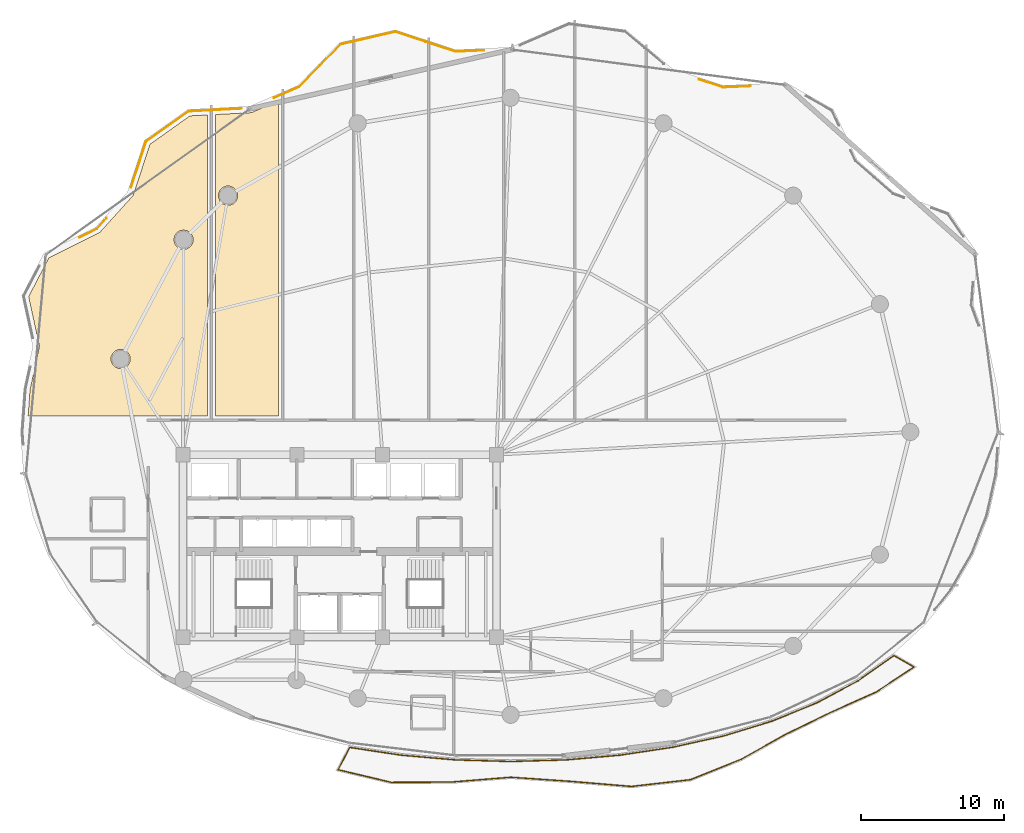
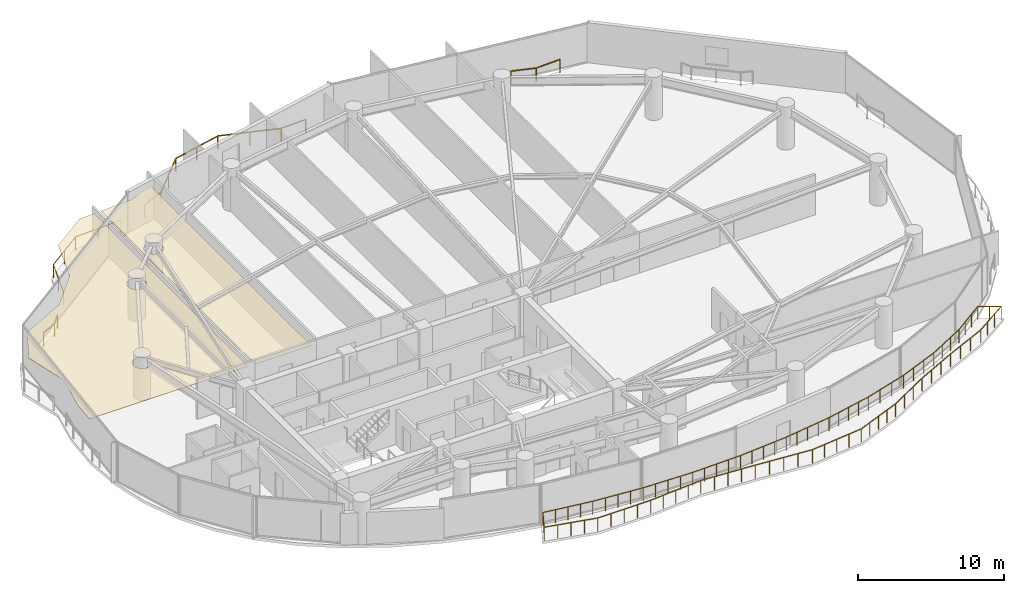
# One storey, part 32 of 33: 5 railings, 2 coverings.
"""IFC4 building model written with IfcOpenShell, lengths in metres."""

from ifc_helpers import new_model, si_unit, direction, frame, origin, origin_2d, place, context, subcontext, project, spatial, polyline, rectangle, outline, extrude, material, layer, layer_set, type_object, element, save


model = new_model("IFC4")

# Units and contexts
model_context = context("Model", 3, precision=1e-05, world=origin(), true_north=direction((0.0, 1.0)))
body_context = subcontext(model_context, "Body", "Model", "MODEL_VIEW")
ifc_project = project(units=[si_unit("LENGTHUNIT", "METRE"), si_unit("AREAUNIT", "SQUARE_METRE"), si_unit("VOLUMEUNIT", "CUBIC_METRE"), si_unit("PLANEANGLEUNIT", "RADIAN"), si_unit("MASSUNIT", "GRAM", prefix="KILO")], contexts=[model_context])

# Site, building, storey
site_placement = place(None, origin())
site = spatial("IfcSite", under=ifc_project, at=site_placement, CompositionType="ELEMENT")
building_placement = place(site_placement, origin())
building = spatial("IfcBuilding", under=site, at=building_placement, Name="Kazevale Care Tower and Concert Hall", CompositionType="ELEMENT")
storey_placement = place(building_placement, frame((0.0, 0.0, 149.39990234375)))
storey = spatial("IfcBuildingStorey", under=building, at=storey_placement, Name="L39", CompositionType="ELEMENT", Elevation=149.39990234375)

# Coverings
ifc_material_1 = material(Name="Acoustic Plaster and Hinoki Wood", Category="wood")
ifc_layer = layer(ifc_material_1, 0.0400390625)
ifc_layer_set = layer_set([ifc_layer], Name="Acoustic Plaster and Hinoki Wood")
covering_type = type_object("IfcCoveringType", Name="Acoustic Perforated Wood-Gypsum Ceiling", PredefinedType="CEILING", material=ifc_layer_set)
covering_1_placement = place(storey_placement, frame((0.0, 0.0, 2.710205078125)))
element("IfcCovering", 1, at=covering_1_placement, inside=storey, type_object=covering_type, Name="clg:L39:1", PredefinedType="CEILING", context=body_context, shape_type="SweptSolid", body=[
    extrude(outline(polyline([(11.93310546875, 44.008056640625), (11.175048828125, 47.4970703125), (12.589111328125, 50.216064453125), (16.156005859375, 51.991943359375), (18.511962890625, 54.597900390625), (19.68701171875, 58.18408203125), (22.493896484375, 60.181884765625), (23.719970703125, 60.24609375), (23.719970703125, 39.10498046875), (11.139892578125, 39.10498046875), (11.27294921875, 40.9580078125), (11.93310546875, 44.008056640625)]), holes=[polyline([(22.677978515625, 51.75), (22.531005859375, 51.970947265625), (22.31005859375, 52.117919921875), (22.050048828125, 52.169921875), (21.7900390625, 52.117919921875), (21.569091796875, 51.970947265625), (21.422119140625, 51.75), (21.3701171875, 51.489990234375), (21.422119140625, 51.22998046875), (21.569091796875, 51.009033203125), (21.7900390625, 50.862060546875), (22.050048828125, 50.81005859375), (22.31005859375, 50.862060546875), (22.531005859375, 51.009033203125), (22.677978515625, 51.22998046875), (22.72998046875, 51.489990234375), (22.677978515625, 51.75)]), polyline([(18.297119140625, 43.2529296875), (18.195068359375, 43.498046875), (18.008056640625, 43.68505859375), (17.762939453125, 43.787109375), (17.4970703125, 43.787109375), (17.251953125, 43.68505859375), (17.06494140625, 43.498046875), (16.962890625, 43.2529296875), (16.962890625, 42.987060546875), (17.06494140625, 42.741943359375), (17.251953125, 42.554931640625), (17.4970703125, 42.452880859375), (17.762939453125, 42.452880859375), (18.008056640625, 42.554931640625), (18.195068359375, 42.741943359375), (18.297119140625, 42.987060546875), (18.297119140625, 43.2529296875)])]), origin(), (0.0, 0.0, 1.0), 0.039794921875),
])
covering_2_placement = place(storey_placement, frame((0.0, 0.0, 2.710205078125)))
element("IfcCovering", 2, at=covering_2_placement, inside=storey, type_object=covering_type, Name="clg:L39:2", PredefinedType="CEILING", context=body_context, shape_type="SweptSolid", body=[
    extrude(outline(polyline([(28.719970703125, 39.10498046875), (24.280029296875, 39.10498046875), (24.280029296875, 60.27490234375), (26.804931640625, 60.406982421875), (28.719970703125, 61.237060546875), (28.719970703125, 39.10498046875)]), holes=[polyline([(25.8369140625, 54.712890625), (25.735107421875, 54.9580078125), (25.548095703125, 55.14501953125), (25.302978515625, 55.2470703125), (25.037109375, 55.2470703125), (24.7919921875, 55.14501953125), (24.60498046875, 54.9580078125), (24.5029296875, 54.712890625), (24.5029296875, 54.447021484375), (24.60498046875, 54.201904296875), (24.7919921875, 54.014892578125), (25.037109375, 53.9130859375), (25.302978515625, 53.9130859375), (25.548095703125, 54.014892578125), (25.735107421875, 54.201904296875), (25.8369140625, 54.447021484375), (25.8369140625, 54.712890625)])]), origin(), (0.0, 0.0, 1.0), 0.039794921875),
])

# Railings
ifc_material_2 = material(Name="Anodised Bronze Aluminium and Laminated Glass", Category="aluminium")
railing_type = type_object("IfcRailingType", Name="Balcony and Terrace Balustrade 1120", PredefinedType="BALUSTRADE", material=ifc_material_2)
railing_1_placement = place(storey_placement, frame((14.743896484375, 51.64599609375, 0.0)))
element("IfcRailing", 3, at=railing_1_placement, inside=storey, type_object=railing_type, Name="rail:L39:perim:3", PredefinedType="BALUSTRADE", context=body_context, shape_type="SweptSolid", body=[
    extrude(rectangle(XDim=0.048095703125, YDim=0.048095703125, at=origin_2d()), frame((0.0, 0.0, 1.09619140625), z_axis=(0.895181342234, 0.445702102885, 0.0), x_axis=(-0.445702102885, 0.895181342234, 0.0)), (0.0, 0.0, 1.0), 1.357421875),
    extrude(rectangle(XDim=0.048095703125, YDim=0.048095703125, at=origin_2d()), frame((1.215087890625, 0.60498046875, 1.09619140625), z_axis=(0.670216930837, 0.742165254926, 0.0), x_axis=(-0.742165254926, 0.670216930837, 0.0)), (0.0, 0.0, 1.0), 1.0009765625),
    extrude(rectangle(XDim=0.0419921875, YDim=0.0419921875, at=origin_2d()), origin(), (0.0, 0.0, 1.0), 1.072021484375),
    extrude(rectangle(XDim=0.0419921875, YDim=0.0419921875, at=origin_2d()), frame((1.215087890625, 0.60498046875, 0.0)), (0.0, 0.0, 1.0), 1.072021484375),
    extrude(rectangle(XDim=0.0419921875, YDim=0.0419921875, at=origin_2d()), frame((1.885986328125, 1.347900390625, 0.0)), (0.0, 0.0, 1.0), 1.072021484375),
])
railing_2_placement = place(storey_placement, frame((18.361083984375, 55.1640625, 0.0)))
element("IfcRailing", 4, at=railing_2_placement, inside=storey, type_object=railing_type, Name="rail:L39:perim:4", PredefinedType="BALUSTRADE", context=body_context, shape_type="SweptSolid", body=[
    extrude(rectangle(XDim=0.048095703125, YDim=0.048095703125, at=origin_2d()), frame((0.0, 0.0, 1.09619140625), z_axis=(0.31116334977, 0.95035644353, 0.0), x_axis=(-0.95035644353, 0.31116334977, 0.0)), (0.0, 0.0, 1.0), 3.38720703125),
    extrude(rectangle(XDim=0.048095703125, YDim=0.048095703125, at=origin_2d()), frame((1.053955078125, 3.218994140625, 1.09619140625), z_axis=(0.81472815081, 0.579843116953, 0.0), x_axis=(-0.579843116953, 0.81472815081, 0.0)), (0.0, 0.0, 1.0), 3.64404296875),
    extrude(rectangle(XDim=0.048095703125, YDim=0.048095703125, at=origin_2d()), frame((4.02294921875, 5.33203125, 1.09619140625), z_axis=(0.998638441981, 0.052165718614, 0.0), x_axis=(-0.052165718614, 0.998638441981, 0.0)), (0.0, 0.0, 1.0), 3.716064453125),
    extrude(rectangle(XDim=0.0419921875, YDim=0.0419921875, at=origin_2d()), origin(), (0.0, 0.0, 1.0), 1.072021484375),
    extrude(rectangle(XDim=0.0419921875, YDim=0.0419921875, at=origin_2d()), frame((0.52685546875, 1.609375, 0.0)), (0.0, 0.0, 1.0), 1.072021484375),
    extrude(rectangle(XDim=0.0419921875, YDim=0.0419921875, at=origin_2d()), frame((1.053955078125, 3.218994140625, 0.0)), (0.0, 0.0, 1.0), 1.072021484375),
    extrude(rectangle(XDim=0.0419921875, YDim=0.0419921875, at=origin_2d()), frame((2.53857421875, 4.275390625, 0.0)), (0.0, 0.0, 1.0), 1.072021484375),
    extrude(rectangle(XDim=0.0419921875, YDim=0.0419921875, at=origin_2d()), frame((4.02294921875, 5.33203125, 0.0)), (0.0, 0.0, 1.0), 1.072021484375),
    extrude(rectangle(XDim=0.0419921875, YDim=0.0419921875, at=origin_2d()), frame((5.87841796875, 5.428955078125, 0.0)), (0.0, 0.0, 1.0), 1.072021484375),
    extrude(rectangle(XDim=0.0419921875, YDim=0.0419921875, at=origin_2d()), frame((7.73388671875, 5.52587890625, 0.0)), (0.0, 0.0, 1.0), 1.072021484375),
])
railing_3_placement = place(storey_placement, frame((28.406982421875, 61.449951171875, 0.0)))
element("IfcRailing", 5, at=railing_3_placement, inside=storey, type_object=railing_type, Name="rail:L39:perim:5", PredefinedType="BALUSTRADE", context=body_context, shape_type="SweptSolid", body=[
    extrude(rectangle(XDim=0.048095703125, YDim=0.048095703125, at=origin_2d()), frame((0.0, 0.0, 1.09619140625), z_axis=(0.917259366497, 0.398290414866, 0.0), x_axis=(-0.398290414866, 0.917259366497, 0.0)), (0.0, 0.0, 1.0), 1.90576171875),
    extrude(rectangle(XDim=0.048095703125, YDim=0.048095703125, at=origin_2d()), frame((1.748046875, 0.759033203125, 1.09619140625), z_axis=(0.697682289334, 0.716407302551, 0.0), x_axis=(-0.716407302551, 0.697682289334, 0.0)), (0.0, 0.0, 1.0), 4.172119140625),
    extrude(rectangle(XDim=0.048095703125, YDim=0.048095703125, at=origin_2d()), frame((4.658935546875, 3.748046875, 1.09619140625), z_axis=(0.974660011093, 0.223691445471, 0.0), x_axis=(-0.223691445471, 0.974660011093, 0.0)), (0.0, 0.0, 1.0), 3.93896484375),
    extrude(rectangle(XDim=0.048095703125, YDim=0.048095703125, at=origin_2d()), frame((8.498046875, 4.629150390625, 1.09619140625), z_axis=(0.949878818656, -0.31261834538, 0.0), x_axis=(0.31261834538, 0.949878818656, 0.0)), (0.0, 0.0, 1.0), 4.44677734375),
    extrude(rectangle(XDim=0.048095703125, YDim=0.048095703125, at=origin_2d()), frame((12.721923828125, 3.239013671875, 1.09619140625), z_axis=(0.999018758403, 0.044289054622, 0.0), x_axis=(-0.044289054622, 0.999018758403, 0.0)), (0.0, 0.0, 1.0), 1.989990234375),
    extrude(rectangle(XDim=0.0419921875, YDim=0.0419921875, at=origin_2d()), origin(), (0.0, 0.0, 1.0), 1.072021484375),
    extrude(rectangle(XDim=0.0419921875, YDim=0.0419921875, at=origin_2d()), frame((1.748046875, 0.759033203125, 0.0)), (0.0, 0.0, 1.0), 1.072021484375),
    extrude(rectangle(XDim=0.0419921875, YDim=0.0419921875, at=origin_2d()), frame((3.20361328125, 2.25341796875, 0.0)), (0.0, 0.0, 1.0), 1.072021484375),
    extrude(rectangle(XDim=0.0419921875, YDim=0.0419921875, at=origin_2d()), frame((4.658935546875, 3.748046875, 0.0)), (0.0, 0.0, 1.0), 1.072021484375),
    extrude(rectangle(XDim=0.0419921875, YDim=0.0419921875, at=origin_2d()), frame((6.57861328125, 4.1884765625, 0.0)), (0.0, 0.0, 1.0), 1.072021484375),
    extrude(rectangle(XDim=0.0419921875, YDim=0.0419921875, at=origin_2d()), frame((8.498046875, 4.629150390625, 0.0)), (0.0, 0.0, 1.0), 1.072021484375),
    extrude(rectangle(XDim=0.0419921875, YDim=0.0419921875, at=origin_2d()), frame((10.60986328125, 3.93408203125, 0.0)), (0.0, 0.0, 1.0), 1.072021484375),
    extrude(rectangle(XDim=0.0419921875, YDim=0.0419921875, at=origin_2d()), frame((12.721923828125, 3.239013671875, 0.0)), (0.0, 0.0, 1.0), 1.072021484375),
    extrude(rectangle(XDim=0.0419921875, YDim=0.0419921875, at=origin_2d()), frame((14.7099609375, 3.3271484375, 0.0)), (0.0, 0.0, 1.0), 1.072021484375),
])
railing_4_placement = place(storey_placement, frame((58.218017578125, 62.73388671875, 0.0)))
element("IfcRailing", 6, at=railing_4_placement, inside=storey, type_object=railing_type, Name="rail:L39:perim:7", PredefinedType="BALUSTRADE", context=body_context, shape_type="SweptSolid", body=[
    extrude(rectangle(XDim=0.048095703125, YDim=0.048095703125, at=origin_2d()), frame((0.0, 0.0, 1.09619140625), z_axis=(0.950995651037, -0.309204255645, 0.0), x_axis=(0.309204255645, 0.950995651037, 0.0)), (0.0, 0.0, 1.0), 1.77490234375),
    extrude(rectangle(XDim=0.048095703125, YDim=0.048095703125, at=origin_2d()), frame((1.68798828125, -0.548828125, 1.09619140625), z_axis=(0.99909423761, 0.042552372143, 0.0), x_axis=(-0.042552372143, 0.99909423761, 0.0)), (0.0, 0.0, 1.0), 1.927734375),
    extrude(rectangle(XDim=0.0419921875, YDim=0.0419921875, at=origin_2d()), origin(), (0.0, 0.0, 1.0), 1.072021484375),
    extrude(rectangle(XDim=0.0419921875, YDim=0.0419921875, at=origin_2d()), frame((1.68798828125, -0.548828125, 0.0)), (0.0, 0.0, 1.0), 1.072021484375),
    extrude(rectangle(XDim=0.0419921875, YDim=0.0419921875, at=origin_2d()), frame((3.614013671875, -0.466796875, 0.0)), (0.0, 0.0, 1.0), 1.072021484375),
])
railing_5_placement = place(storey_placement, frame((33.702880859375, 15.861083984375, 0.0)))
element("IfcRailing", 7, at=railing_5_placement, inside=storey, type_object=railing_type, Name="rail:L39:balcony", PredefinedType="BALUSTRADE", context=body_context, shape_type="SweptSolid", body=[
    extrude(rectangle(XDim=0.048095703125, YDim=0.048095703125, at=origin_2d()), frame((0.0, 0.0, 1.09619140625), z_axis=(0.988898738041, -0.148591002089, 0.0), x_axis=(0.148591002089, 0.988898738041, 0.0)), (0.0, 0.0, 1.0), 3.6689453125),
    extrude(rectangle(XDim=0.048095703125, YDim=0.048095703125, at=origin_2d()), frame((3.628173828125, -0.545166015625, 1.09619140625), z_axis=(0.996251838222, -0.086500143585, 0.0), x_axis=(0.086500143585, 0.996251838222, 0.0)), (0.0, 0.0, 1.0), 3.824462890625),
    extrude(rectangle(XDim=0.048095703125, YDim=0.048095703125, at=origin_2d()), frame((7.438232421875, -0.8759765625, 1.09619140625), z_axis=(0.999593168995, -0.028521860004, 0.0), x_axis=(0.028521860004, 0.999593168995, 0.0)), (0.0, 0.0, 1.0), 3.8603515625),
    extrude(rectangle(XDim=0.048095703125, YDim=0.048095703125, at=origin_2d()), frame((11.297119140625, -0.986083984375, 1.09619140625), z_axis=(0.999593168995, 0.028521860004, 0.0), x_axis=(-0.028521860004, 0.999593168995, 0.0)), (0.0, 0.0, 1.0), 3.8603515625),
    extrude(rectangle(XDim=0.048095703125, YDim=0.048095703125, at=origin_2d()), frame((15.156005859375, -0.8759765625, 1.09619140625), z_axis=(0.996251838222, 0.086500143585, 0.0), x_axis=(-0.086500143585, 0.996251838222, 0.0)), (0.0, 0.0, 1.0), 3.824462890625),
    extrude(rectangle(XDim=0.048095703125, YDim=0.048095703125, at=origin_2d()), frame((18.966064453125, -0.545166015625, 1.09619140625), z_axis=(0.988903437953, 0.148559719995, 0.0), x_axis=(-0.148559719995, 0.988903437953, 0.0)), (0.0, 0.0, 1.0), 3.7568359375),
    extrude(rectangle(XDim=0.048095703125, YDim=0.048095703125, at=origin_2d()), frame((22.68115234375, 0.012939453125, 1.09619140625), z_axis=(0.9762591871, 0.216605631512, 0.0), x_axis=(-0.216605631512, 0.9762591871, 0.0)), (0.0, 0.0, 1.0), 3.660888671875),
    extrude(rectangle(XDim=0.048095703125, YDim=0.048095703125, at=origin_2d()), frame((26.255126953125, 0.805908203125, 1.09619140625), z_axis=(0.956153868694, 0.292864780028, 0.0), x_axis=(-0.292864780028, 0.956153868694, 0.0)), (0.0, 0.0, 1.0), 3.541259765625),
    extrude(rectangle(XDim=0.048095703125, YDim=0.048095703125, at=origin_2d()), frame((29.64111328125, 1.843017578125, 1.09619140625), z_axis=(0.925821569017, 0.377960874089, 0.0), x_axis=(-0.377960874089, 0.925821569017, 0.0)), (0.0, 0.0, 1.0), 3.409912109375),
    extrude(rectangle(XDim=0.048095703125, YDim=0.048095703125, at=origin_2d()), frame((32.798095703125, 3.1318359375, 1.09619140625), z_axis=(0.881173131857, 0.472793730598, 0.0), x_axis=(-0.472793730598, 0.881173131857, 0.0)), (0.0, 0.0, 1.0), 3.278564453125),
    extrude(rectangle(XDim=0.048095703125, YDim=0.048095703125, at=origin_2d()), frame((35.68701171875, 4.681884765625, 1.09619140625), z_axis=(0.818641866863, 0.574304356435, 0.0), x_axis=(-0.574304356435, 0.818641866863, 0.0)), (0.0, 0.0, 1.0), 3.073486328125),
    extrude(rectangle(XDim=0.048095703125, YDim=0.048095703125, at=origin_2d()), frame((38.203125, 6.447021484375, 1.09619140625), z_axis=(0.865665798792, -0.500622337498, 0.0), x_axis=(0.500622337498, 0.865665798792, 0.0)), (0.0, 0.0, 1.0), 1.6044921875),
    extrude(rectangle(XDim=0.048095703125, YDim=0.048095703125, at=origin_2d()), frame((39.592041015625, 5.643798828125, 1.09619140625), z_axis=(-0.833320622484, -0.55278996024, 0.0), x_axis=(0.55278996024, -0.833320622484, 0.0)), (0.0, 0.0, 1.0), 3.158203125),
    extrude(rectangle(XDim=0.048095703125, YDim=0.048095703125, at=origin_2d()), frame((36.960205078125, 3.89794921875, 1.09619140625), z_axis=(-0.912157131226, -0.409840661664, 0.0), x_axis=(0.409840661664, -0.912157131226, 0.0)), (0.0, 0.0, 1.0), 3.545654296875),
    extrude(rectangle(XDim=0.048095703125, YDim=0.048095703125, at=origin_2d()), frame((33.72607421875, 2.44482421875, 1.09619140625), z_axis=(-0.898844380162, -0.438267932037, 0.0), x_axis=(0.438267932037, -0.898844380162, 0.0)), (0.0, 0.0, 1.0), 3.490966796875),
    extrude(rectangle(XDim=0.048095703125, YDim=0.048095703125, at=origin_2d()), frame((30.588134765625, 0.914794921875, 1.09619140625), z_axis=(-0.871893924447, -0.489694787099, 0.0), x_axis=(0.489694787099, -0.871893924447, 0.0)), (0.0, 0.0, 1.0), 3.561279296875),
    extrude(rectangle(XDim=0.048095703125, YDim=0.048095703125, at=origin_2d()), frame((27.483154296875, -0.8291015625, 1.09619140625), z_axis=(-0.927714854629, -0.373289630851, 0.0), x_axis=(0.373289630851, -0.927714854629, 0.0)), (0.0, 0.0, 1.0), 3.833251953125),
    extrude(rectangle(XDim=0.048095703125, YDim=0.048095703125, at=origin_2d()), frame((23.927001953125, -2.260009765625, 1.09619140625), z_axis=(-0.993430930034, -0.114433331039, 0.0), x_axis=(0.114433331039, -0.993430930034, 0.0)), (0.0, 0.0, 1.0), 4.17724609375),
    extrude(rectangle(XDim=0.048095703125, YDim=0.048095703125, at=origin_2d()), frame((19.777099609375, -2.738037109375, 1.09619140625), z_axis=(-0.996515828445, 0.083403858772, 0.0), x_axis=(-0.083403858772, -0.996515828445, 0.0)), (0.0, 0.0, 1.0), 4.341064453125),
    extrude(rectangle(XDim=0.048095703125, YDim=0.048095703125, at=origin_2d()), frame((15.451171875, -2.3759765625, 1.09619140625), z_axis=(-0.997657306769, 0.068409781832, 0.0), x_axis=(-0.068409781832, -0.997657306769, 0.0)), (0.0, 0.0, 1.0), 4.164794921875),
    extrude(rectangle(XDim=0.048095703125, YDim=0.048095703125, at=origin_2d()), frame((11.296142578125, -2.091064453125, 1.09619140625), z_axis=(-0.996709653309, -0.081054716096, 0.0), x_axis=(0.081054716096, -0.996709653309, 0.0)), (0.0, 0.0, 1.0), 4.171630859375),
    extrude(rectangle(XDim=0.048095703125, YDim=0.048095703125, at=origin_2d()), frame((7.13818359375, -2.42919921875, 1.09619140625), z_axis=(-0.999987571149, -0.00498573431, 0.0), x_axis=(0.00498573431, -0.999987571149, 0.0)), (0.0, 0.0, 1.0), 4.211181640625),
    extrude(rectangle(XDim=0.048095703125, YDim=0.048095703125, at=origin_2d()), frame((2.927001953125, -2.4501953125, 1.09619140625), z_axis=(-0.973182283043, 0.230035310271, 0.0), x_axis=(-0.230035310271, -0.973182283043, 0.0)), (0.0, 0.0, 1.0), 3.8388671875),
    extrude(rectangle(XDim=0.048095703125, YDim=0.048095703125, at=origin_2d()), frame((-0.808837890625, -1.567138671875, 1.09619140625), z_axis=(0.458639393452, 0.888622477081, 0.0), x_axis=(-0.888622477081, 0.458639393452, 0.0)), (0.0, 0.0, 1.0), 1.763671875),
    extrude(rectangle(XDim=0.0419921875, YDim=0.0419921875, at=origin_2d()), origin(), (0.0, 0.0, 1.0), 1.072021484375),
    extrude(rectangle(XDim=0.0419921875, YDim=0.0419921875, at=origin_2d()), frame((0.906982421875, -0.13623046875, 0.0)), (0.0, 0.0, 1.0), 1.072021484375),
    extrude(rectangle(XDim=0.0419921875, YDim=0.0419921875, at=origin_2d()), frame((1.81396484375, -0.2724609375, 0.0)), (0.0, 0.0, 1.0), 1.072021484375),
    extrude(rectangle(XDim=0.0419921875, YDim=0.0419921875, at=origin_2d()), frame((2.72119140625, -0.408935546875, 0.0)), (0.0, 0.0, 1.0), 1.072021484375),
    extrude(rectangle(XDim=0.0419921875, YDim=0.0419921875, at=origin_2d()), frame((3.628173828125, -0.545166015625, 0.0)), (0.0, 0.0, 1.0), 1.072021484375),
    extrude(rectangle(XDim=0.0419921875, YDim=0.0419921875, at=origin_2d()), frame((4.58056640625, -0.6279296875, 0.0)), (0.0, 0.0, 1.0), 1.072021484375),
    extrude(rectangle(XDim=0.0419921875, YDim=0.0419921875, at=origin_2d()), frame((5.533203125, -0.71044921875, 0.0)), (0.0, 0.0, 1.0), 1.072021484375),
    extrude(rectangle(XDim=0.0419921875, YDim=0.0419921875, at=origin_2d()), frame((6.48583984375, -0.793212890625, 0.0)), (0.0, 0.0, 1.0), 1.072021484375),
    extrude(rectangle(XDim=0.0419921875, YDim=0.0419921875, at=origin_2d()), frame((7.438232421875, -0.8759765625, 0.0)), (0.0, 0.0, 1.0), 1.072021484375),
    extrude(rectangle(XDim=0.0419921875, YDim=0.0419921875, at=origin_2d()), frame((8.40283203125, -0.903564453125, 0.0)), (0.0, 0.0, 1.0), 1.072021484375),
    extrude(rectangle(XDim=0.0419921875, YDim=0.0419921875, at=origin_2d()), frame((9.36767578125, -0.93115234375, 0.0)), (0.0, 0.0, 1.0), 1.072021484375),
    extrude(rectangle(XDim=0.0419921875, YDim=0.0419921875, at=origin_2d()), frame((10.33251953125, -0.95849609375, 0.0)), (0.0, 0.0, 1.0), 1.072021484375),
    extrude(rectangle(XDim=0.0419921875, YDim=0.0419921875, at=origin_2d()), frame((11.297119140625, -0.986083984375, 0.0)), (0.0, 0.0, 1.0), 1.072021484375),
    extrude(rectangle(XDim=0.0419921875, YDim=0.0419921875, at=origin_2d()), frame((12.26171875, -0.95849609375, 0.0)), (0.0, 0.0, 1.0), 1.072021484375),
    extrude(rectangle(XDim=0.0419921875, YDim=0.0419921875, at=origin_2d()), frame((13.2265625, -0.93115234375, 0.0)), (0.0, 0.0, 1.0), 1.072021484375),
    extrude(rectangle(XDim=0.0419921875, YDim=0.0419921875, at=origin_2d()), frame((14.19140625, -0.903564453125, 0.0)), (0.0, 0.0, 1.0), 1.072021484375),
    extrude(rectangle(XDim=0.0419921875, YDim=0.0419921875, at=origin_2d()), frame((15.156005859375, -0.8759765625, 0.0)), (0.0, 0.0, 1.0), 1.072021484375),
    extrude(rectangle(XDim=0.0419921875, YDim=0.0419921875, at=origin_2d()), frame((16.1083984375, -0.793212890625, 0.0)), (0.0, 0.0, 1.0), 1.072021484375),
    extrude(rectangle(XDim=0.0419921875, YDim=0.0419921875, at=origin_2d()), frame((17.06103515625, -0.71044921875, 0.0)), (0.0, 0.0, 1.0), 1.072021484375),
    extrude(rectangle(XDim=0.0419921875, YDim=0.0419921875, at=origin_2d()), frame((18.013671875, -0.6279296875, 0.0)), (0.0, 0.0, 1.0), 1.072021484375),
    extrude(rectangle(XDim=0.0419921875, YDim=0.0419921875, at=origin_2d()), frame((18.966064453125, -0.545166015625, 0.0)), (0.0, 0.0, 1.0), 1.072021484375),
    extrude(rectangle(XDim=0.0419921875, YDim=0.0419921875, at=origin_2d()), frame((19.894775390625, -0.40576171875, 0.0)), (0.0, 0.0, 1.0), 1.072021484375),
    extrude(rectangle(XDim=0.0419921875, YDim=0.0419921875, at=origin_2d()), frame((20.82373046875, -0.26611328125, 0.0)), (0.0, 0.0, 1.0), 1.072021484375),
    extrude(rectangle(XDim=0.0419921875, YDim=0.0419921875, at=origin_2d()), frame((21.75244140625, -0.12646484375, 0.0)), (0.0, 0.0, 1.0), 1.072021484375),
    extrude(rectangle(XDim=0.0419921875, YDim=0.0419921875, at=origin_2d()), frame((22.68115234375, 0.012939453125, 0.0)), (0.0, 0.0, 1.0), 1.072021484375),
    extrude(rectangle(XDim=0.0419921875, YDim=0.0419921875, at=origin_2d()), frame((23.57470703125, 0.211181640625, 0.0)), (0.0, 0.0, 1.0), 1.072021484375),
    extrude(rectangle(XDim=0.0419921875, YDim=0.0419921875, at=origin_2d()), frame((24.46826171875, 0.409423828125, 0.0)), (0.0, 0.0, 1.0), 1.072021484375),
    extrude(rectangle(XDim=0.0419921875, YDim=0.0419921875, at=origin_2d()), frame((25.361572265625, 0.607666015625, 0.0)), (0.0, 0.0, 1.0), 1.072021484375),
    extrude(rectangle(XDim=0.0419921875, YDim=0.0419921875, at=origin_2d()), frame((26.255126953125, 0.805908203125, 0.0)), (0.0, 0.0, 1.0), 1.072021484375),
    extrude(rectangle(XDim=0.0419921875, YDim=0.0419921875, at=origin_2d()), frame((27.3837890625, 1.151611328125, 0.0)), (0.0, 0.0, 1.0), 1.072021484375),
    extrude(rectangle(XDim=0.0419921875, YDim=0.0419921875, at=origin_2d()), frame((28.512451171875, 1.497314453125, 0.0)), (0.0, 0.0, 1.0), 1.072021484375),
    extrude(rectangle(XDim=0.0419921875, YDim=0.0419921875, at=origin_2d()), frame((29.64111328125, 1.843017578125, 0.0)), (0.0, 0.0, 1.0), 1.072021484375),
    extrude(rectangle(XDim=0.0419921875, YDim=0.0419921875, at=origin_2d()), frame((30.693359375, 2.272705078125, 0.0)), (0.0, 0.0, 1.0), 1.072021484375),
    extrude(rectangle(XDim=0.0419921875, YDim=0.0419921875, at=origin_2d()), frame((31.745849609375, 2.7021484375, 0.0)), (0.0, 0.0, 1.0), 1.072021484375),
    extrude(rectangle(XDim=0.0419921875, YDim=0.0419921875, at=origin_2d()), frame((32.798095703125, 3.1318359375, 0.0)), (0.0, 0.0, 1.0), 1.072021484375),
    extrude(rectangle(XDim=0.0419921875, YDim=0.0419921875, at=origin_2d()), frame((33.760986328125, 3.6484375, 0.0)), (0.0, 0.0, 1.0), 1.072021484375),
    extrude(rectangle(XDim=0.0419921875, YDim=0.0419921875, at=origin_2d()), frame((34.72412109375, 4.165283203125, 0.0)), (0.0, 0.0, 1.0), 1.072021484375),
    extrude(rectangle(XDim=0.0419921875, YDim=0.0419921875, at=origin_2d()), frame((35.68701171875, 4.681884765625, 0.0)), (0.0, 0.0, 1.0), 1.072021484375),
    extrude(rectangle(XDim=0.0419921875, YDim=0.0419921875, at=origin_2d()), frame((36.525634765625, 5.270263671875, 0.0)), (0.0, 0.0, 1.0), 1.072021484375),
    extrude(rectangle(XDim=0.0419921875, YDim=0.0419921875, at=origin_2d()), frame((37.364501953125, 5.858642578125, 0.0)), (0.0, 0.0, 1.0), 1.072021484375),
    extrude(rectangle(XDim=0.0419921875, YDim=0.0419921875, at=origin_2d()), frame((38.203125, 6.447021484375, 0.0)), (0.0, 0.0, 1.0), 1.072021484375),
    extrude(rectangle(XDim=0.0419921875, YDim=0.0419921875, at=origin_2d()), frame((38.8974609375, 6.04541015625, 0.0)), (0.0, 0.0, 1.0), 1.072021484375),
    extrude(rectangle(XDim=0.0419921875, YDim=0.0419921875, at=origin_2d()), frame((39.592041015625, 5.643798828125, 0.0)), (0.0, 0.0, 1.0), 1.072021484375),
    extrude(rectangle(XDim=0.0419921875, YDim=0.0419921875, at=origin_2d()), frame((38.71484375, 5.061767578125, 0.0)), (0.0, 0.0, 1.0), 1.072021484375),
    extrude(rectangle(XDim=0.0419921875, YDim=0.0419921875, at=origin_2d()), frame((37.83740234375, 4.47998046875, 0.0)), (0.0, 0.0, 1.0), 1.072021484375),
    extrude(rectangle(XDim=0.0419921875, YDim=0.0419921875, at=origin_2d()), frame((36.960205078125, 3.89794921875, 0.0)), (0.0, 0.0, 1.0), 1.072021484375),
    extrude(rectangle(XDim=0.0419921875, YDim=0.0419921875, at=origin_2d()), frame((35.882080078125, 3.41357421875, 0.0)), (0.0, 0.0, 1.0), 1.072021484375),
    extrude(rectangle(XDim=0.0419921875, YDim=0.0419921875, at=origin_2d()), frame((34.80419921875, 2.92919921875, 0.0)), (0.0, 0.0, 1.0), 1.072021484375),
    extrude(rectangle(XDim=0.0419921875, YDim=0.0419921875, at=origin_2d()), frame((33.72607421875, 2.44482421875, 0.0)), (0.0, 0.0, 1.0), 1.072021484375),
    extrude(rectangle(XDim=0.0419921875, YDim=0.0419921875, at=origin_2d()), frame((32.68017578125, 1.934814453125, 0.0)), (0.0, 0.0, 1.0), 1.072021484375),
    extrude(rectangle(XDim=0.0419921875, YDim=0.0419921875, at=origin_2d()), frame((31.634033203125, 1.4248046875, 0.0)), (0.0, 0.0, 1.0), 1.072021484375),
    extrude(rectangle(XDim=0.0419921875, YDim=0.0419921875, at=origin_2d()), frame((30.588134765625, 0.914794921875, 0.0)), (0.0, 0.0, 1.0), 1.072021484375),
    extrude(rectangle(XDim=0.0419921875, YDim=0.0419921875, at=origin_2d()), frame((29.55322265625, 0.33349609375, 0.0)), (0.0, 0.0, 1.0), 1.072021484375),
    extrude(rectangle(XDim=0.0419921875, YDim=0.0419921875, at=origin_2d()), frame((28.51806640625, -0.247802734375, 0.0)), (0.0, 0.0, 1.0), 1.072021484375),
    extrude(rectangle(XDim=0.0419921875, YDim=0.0419921875, at=origin_2d()), frame((27.483154296875, -0.8291015625, 0.0)), (0.0, 0.0, 1.0), 1.072021484375),
    extrude(rectangle(XDim=0.0419921875, YDim=0.0419921875, at=origin_2d()), frame((26.59423828125, -1.186767578125, 0.0)), (0.0, 0.0, 1.0), 1.072021484375),
    extrude(rectangle(XDim=0.0419921875, YDim=0.0419921875, at=origin_2d()), frame((25.705078125, -1.54443359375, 0.0)), (0.0, 0.0, 1.0), 1.072021484375),
    extrude(rectangle(XDim=0.0419921875, YDim=0.0419921875, at=origin_2d()), frame((24.81591796875, -1.90234375, 0.0)), (0.0, 0.0, 1.0), 1.072021484375),
    extrude(rectangle(XDim=0.0419921875, YDim=0.0419921875, at=origin_2d()), frame((23.927001953125, -2.260009765625, 0.0)), (0.0, 0.0, 1.0), 1.072021484375),
    extrude(rectangle(XDim=0.0419921875, YDim=0.0419921875, at=origin_2d()), frame((22.8896484375, -2.37939453125, 0.0)), (0.0, 0.0, 1.0), 1.072021484375),
    extrude(rectangle(XDim=0.0419921875, YDim=0.0419921875, at=origin_2d()), frame((21.85205078125, -2.4990234375, 0.0)), (0.0, 0.0, 1.0), 1.072021484375),
    extrude(rectangle(XDim=0.0419921875, YDim=0.0419921875, at=origin_2d()), frame((20.814453125, -2.61865234375, 0.0)), (0.0, 0.0, 1.0), 1.072021484375),
    extrude(rectangle(XDim=0.0419921875, YDim=0.0419921875, at=origin_2d()), frame((19.777099609375, -2.738037109375, 0.0)), (0.0, 0.0, 1.0), 1.072021484375),
    extrude(rectangle(XDim=0.0419921875, YDim=0.0419921875, at=origin_2d()), frame((18.695556640625, -2.6474609375, 0.0)), (0.0, 0.0, 1.0), 1.072021484375),
    extrude(rectangle(XDim=0.0419921875, YDim=0.0419921875, at=origin_2d()), frame((17.6142578125, -2.55712890625, 0.0)), (0.0, 0.0, 1.0), 1.072021484375),
    extrude(rectangle(XDim=0.0419921875, YDim=0.0419921875, at=origin_2d()), frame((16.53271484375, -2.466552734375, 0.0)), (0.0, 0.0, 1.0), 1.072021484375),
    extrude(rectangle(XDim=0.0419921875, YDim=0.0419921875, at=origin_2d()), frame((15.451171875, -2.3759765625, 0.0)), (0.0, 0.0, 1.0), 1.072021484375),
    extrude(rectangle(XDim=0.0419921875, YDim=0.0419921875, at=origin_2d()), frame((14.412353515625, -2.3046875, 0.0)), (0.0, 0.0, 1.0), 1.072021484375),
    extrude(rectangle(XDim=0.0419921875, YDim=0.0419921875, at=origin_2d()), frame((13.37353515625, -2.2333984375, 0.0)), (0.0, 0.0, 1.0), 1.072021484375),
    extrude(rectangle(XDim=0.0419921875, YDim=0.0419921875, at=origin_2d()), frame((12.3349609375, -2.162353515625, 0.0)), (0.0, 0.0, 1.0), 1.072021484375),
    extrude(rectangle(XDim=0.0419921875, YDim=0.0419921875, at=origin_2d()), frame((11.296142578125, -2.091064453125, 0.0)), (0.0, 0.0, 1.0), 1.072021484375),
    extrude(rectangle(XDim=0.0419921875, YDim=0.0419921875, at=origin_2d()), frame((10.256591796875, -2.175537109375, 0.0)), (0.0, 0.0, 1.0), 1.072021484375),
    extrude(rectangle(XDim=0.0419921875, YDim=0.0419921875, at=origin_2d()), frame((9.21728515625, -2.26025390625, 0.0)), (0.0, 0.0, 1.0), 1.072021484375),
    extrude(rectangle(XDim=0.0419921875, YDim=0.0419921875, at=origin_2d()), frame((8.177734375, -2.3447265625, 0.0)), (0.0, 0.0, 1.0), 1.072021484375),
    extrude(rectangle(XDim=0.0419921875, YDim=0.0419921875, at=origin_2d()), frame((7.13818359375, -2.42919921875, 0.0)), (0.0, 0.0, 1.0), 1.072021484375),
    extrude(rectangle(XDim=0.0419921875, YDim=0.0419921875, at=origin_2d()), frame((6.08544921875, -2.4345703125, 0.0)), (0.0, 0.0, 1.0), 1.072021484375),
    extrude(rectangle(XDim=0.0419921875, YDim=0.0419921875, at=origin_2d()), frame((5.03271484375, -2.439697265625, 0.0)), (0.0, 0.0, 1.0), 1.072021484375),
    extrude(rectangle(XDim=0.0419921875, YDim=0.0419921875, at=origin_2d()), frame((3.979736328125, -2.44482421875, 0.0)), (0.0, 0.0, 1.0), 1.072021484375),
    extrude(rectangle(XDim=0.0419921875, YDim=0.0419921875, at=origin_2d()), frame((2.927001953125, -2.4501953125, 0.0)), (0.0, 0.0, 1.0), 1.072021484375),
    extrude(rectangle(XDim=0.0419921875, YDim=0.0419921875, at=origin_2d()), frame((1.9931640625, -2.2294921875, 0.0)), (0.0, 0.0, 1.0), 1.072021484375),
    extrude(rectangle(XDim=0.0419921875, YDim=0.0419921875, at=origin_2d()), frame((1.05908203125, -2.0087890625, 0.0)), (0.0, 0.0, 1.0), 1.072021484375),
    extrude(rectangle(XDim=0.0419921875, YDim=0.0419921875, at=origin_2d()), frame((0.125, -1.787841796875, 0.0)), (0.0, 0.0, 1.0), 1.072021484375),
    extrude(rectangle(XDim=0.0419921875, YDim=0.0419921875, at=origin_2d()), frame((-0.808837890625, -1.567138671875, 0.0)), (0.0, 0.0, 1.0), 1.072021484375),
    extrude(rectangle(XDim=0.0419921875, YDim=0.0419921875, at=origin_2d()), frame((-0.404296875, -0.78369140625, 0.0)), (0.0, 0.0, 1.0), 1.072021484375),
])

save(model, "model.ifc")
